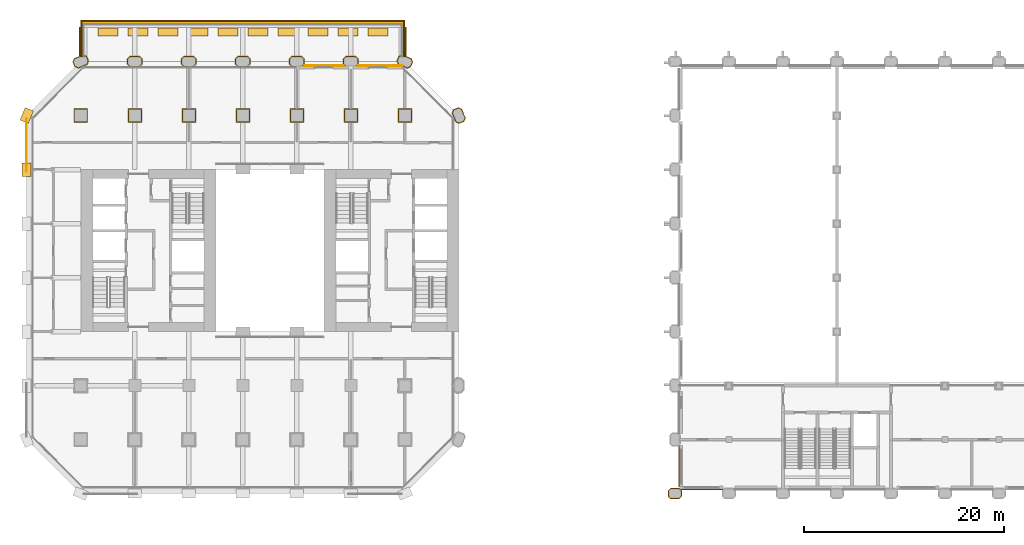
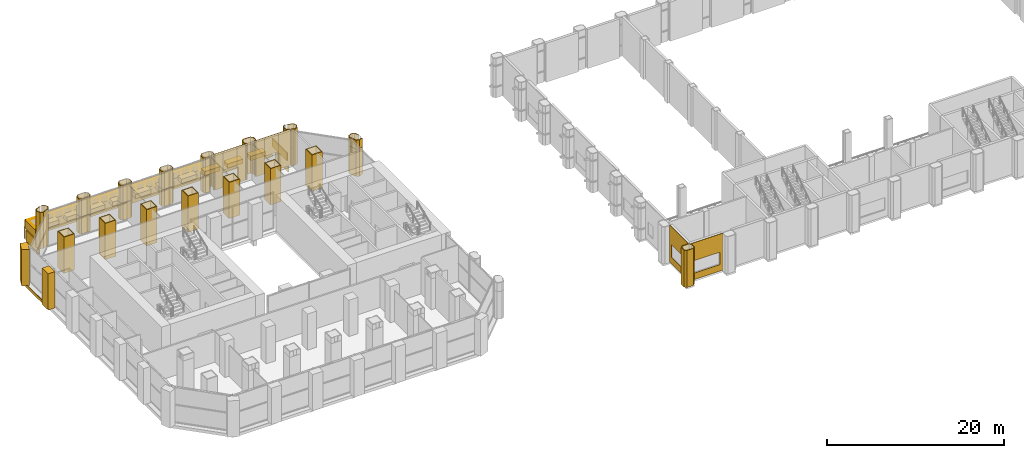
# One storey, part 22 of 27: 48 coverings, 1 railing.
"""IFC4 building model written with IfcOpenShell, lengths in metres."""

from ifc_helpers import new_model, si_unit, direction, frame, frame_2d, origin, origin_2d, place, context, subcontext, project, spatial, polyline, rectangle, circle, outline, extrude, material, layer, layer_set, type_object, element, save


model = new_model("IFC4")

# Units and contexts
model_context = context("Model", 3, precision=1e-05, world=origin(), true_north=direction((0.0, 1.0)))
body_context = subcontext(model_context, "Body", "Model", "MODEL_VIEW")
ifc_project = project(units=[si_unit("LENGTHUNIT", "METRE"), si_unit("AREAUNIT", "SQUARE_METRE"), si_unit("VOLUMEUNIT", "CUBIC_METRE"), si_unit("PLANEANGLEUNIT", "RADIAN"), si_unit("MASSUNIT", "GRAM", prefix="KILO")], contexts=[model_context])

# Site, building, storey
site_placement = place(None, origin())
site = spatial("IfcSite", under=ifc_project, at=site_placement, CompositionType="ELEMENT")
building_placement = place(site_placement, origin())
building = spatial("IfcBuilding", under=site, at=building_placement, Name="Tabaq Tower and Sports Hall", CompositionType="ELEMENT")
storey_placement = place(building_placement, frame((0.0, 0.0, 14.39990234375)))
storey = spatial("IfcBuildingStorey", under=building, at=storey_placement, Name="L02", CompositionType="ELEMENT", Elevation=14.39990234375)

# Coverings
ifc_material_1 = material(Name="Precast concrete C60/75", Category="concrete")
ifc_layer_1 = layer(ifc_material_1, 0.10009765625)
ifc_layer_set_1 = layer_set([ifc_layer_1], Name="Column cladding 100")
covering_type_1 = type_object("IfcCoveringType", Name="Column cladding 100", PredefinedType="CLADDING", material=ifc_layer_set_1)
covering_1_placement = place(storey_placement, origin())
element("IfcCovering", 1, at=covering_1_placement, inside=storey, type_object=covering_type_1, Name="Column cladding L02 HC-13A", PredefinedType="CLADDING", context=body_context, shape_type="SweptSolid", body=[
    extrude(outline(polyline([(64.100341796875, -0.291259765625), (64.100341796875, 0.291259765625), (64.358642578125, 0.5498046875), (65.2412109375, 0.5498046875), (65.499755859375, 0.291259765625), (65.499755859375, -0.291259765625), (65.2412109375, -0.5498046875), (64.358642578125, -0.5498046875), (64.100341796875, -0.291259765625)]), holes=[polyline([(65.2001953125, -0.4501953125), (65.400390625, -0.250244140625), (65.400390625, 0.250244140625), (65.2001953125, 0.4501953125), (64.39990234375, 0.4501953125), (64.19970703125, 0.250244140625), (64.19970703125, -0.250244140625), (64.39990234375, -0.4501953125), (65.2001953125, -0.4501953125)])]), origin(), (0.0, 0.0, 1.0), 5.10009765625),
])
covering_2_placement = place(storey_placement, origin())
element("IfcCovering", 2, at=covering_2_placement, inside=storey, type_object=covering_type_1, Name="Column cladding L02 CC-2H-P", PredefinedType="CLADDING", context=body_context, shape_type="SweptSolid", body=[
    extrude(outline(polyline([(4.7001953125, 38.499755859375), (6.099609375, 38.499755859375), (6.099609375, 37.100341796875), (4.7001953125, 37.100341796875), (4.7001953125, 38.499755859375)]), holes=[polyline([(6.000244140625, 37.19970703125), (6.000244140625, 38.400390625), (4.7998046875, 38.400390625), (4.7998046875, 37.19970703125), (6.000244140625, 37.19970703125)])]), origin(), (0.0, 0.0, 1.0), 5.0),
])
covering_3_placement = place(storey_placement, origin())
element("IfcCovering", 3, at=covering_3_placement, inside=storey, type_object=covering_type_1, Name="Column cladding L02 PC-2I-P", PredefinedType="CLADDING", context=body_context, shape_type="SweptSolid", body=[
    extrude(outline(polyline([(4.582275390625, 43.149658203125), (4.73583984375, 43.519775390625), (5.399658203125, 43.794921875), (5.399658203125, 43.69970703125), (5.4296875, 43.69970703125), (4.811767578125, 43.44384765625), (4.68994140625, 43.149658203125), (4.8623046875, 42.733642578125), (5.156494140625, 42.61181640625), (5.98828125, 42.956298828125), (6.110107421875, 43.25048828125), (5.937744140625, 43.66650390625), (5.710205078125, 43.7607421875), (5.710205078125, 43.8681640625), (6.013916015625, 43.742431640625), (6.217529296875, 43.25048828125), (6.064208984375, 42.880126953125), (5.60595703125, 42.690185546875), (5.586181640625, 42.690185546875), (5.586181640625, 42.68212890625), (5.156494140625, 42.504150390625), (4.7861328125, 42.657470703125), (4.582275390625, 43.149658203125)])), origin(), (0.0, 0.0, 1.0), 5.0),
])
covering_4_placement = place(storey_placement, origin())
element("IfcCovering", 4, at=covering_4_placement, inside=storey, type_object=covering_type_1, Name="Column cladding L02 CC-3H-P", PredefinedType="CLADDING", context=body_context, shape_type="SweptSolid", body=[
    extrude(outline(polyline([(10.100341796875, 38.499755859375), (11.499755859375, 38.499755859375), (11.499755859375, 37.100341796875), (10.100341796875, 37.100341796875), (10.100341796875, 38.499755859375)]), holes=[polyline([(11.400390625, 37.19970703125), (11.400390625, 38.400390625), (10.19970703125, 38.400390625), (10.19970703125, 37.19970703125), (11.400390625, 37.19970703125)])]), origin(), (0.0, 0.0, 1.0), 5.0),
])
for number, where, name in (
    (5, (0.0, 0.0, 0.1025390625), "Column cladding L02 PC-3I-P"),
    (6, (0.0, 0.0, 2.53271484375), "Column cladding L02 PC-3I-P 2"),
):
    element("IfcCovering", number, at=place(storey_placement, frame(where)), inside=storey, type_object=covering_type_1, Name=name, PredefinedType="CLADDING", context=body_context, shape_type="SweptSolid", body=[
        extrude(outline(polyline([(10.025390625, 43.46630859375), (10.30859375, 43.749755859375), (11.291259765625, 43.749755859375), (11.57470703125, 43.46630859375), (11.57470703125, 42.93359375), (11.331298828125, 42.690185546875), (10.268798828125, 42.690185546875), (10.025390625, 42.93359375), (10.025390625, 43.46630859375)]), holes=[polyline([(11.475341796875, 42.974853515625), (11.475341796875, 43.425048828125), (11.250244140625, 43.650390625), (10.349853515625, 43.650390625), (10.124755859375, 43.425048828125), (10.124755859375, 42.974853515625), (10.349853515625, 42.749755859375), (11.250244140625, 42.749755859375), (11.475341796875, 42.974853515625)])]), origin(), (0.0, 0.0, 1.0), 2.364990234375),
    ])
covering_5_placement = place(storey_placement, origin())
element("IfcCovering", 7, at=covering_5_placement, inside=storey, type_object=covering_type_1, Name="Column cladding L02 CC-4H-P", PredefinedType="CLADDING", context=body_context, shape_type="SweptSolid", body=[
    extrude(outline(polyline([(15.500244140625, 38.499755859375), (16.899658203125, 38.499755859375), (16.899658203125, 37.100341796875), (15.500244140625, 37.100341796875), (15.500244140625, 38.499755859375)]), holes=[polyline([(16.80029296875, 37.19970703125), (16.80029296875, 38.400390625), (15.599609375, 38.400390625), (15.599609375, 37.19970703125), (16.80029296875, 37.19970703125)])]), origin(), (0.0, 0.0, 1.0), 5.0),
])
for number, where, name in (
    (8, (0.0, 0.0, 0.1025390625), "Column cladding L02 PC-4I-P"),
    (9, (0.0, 0.0, 2.53271484375), "Column cladding L02 PC-4I-P 2"),
):
    element("IfcCovering", number, at=place(storey_placement, frame(where)), inside=storey, type_object=covering_type_1, Name=name, PredefinedType="CLADDING", context=body_context, shape_type="SweptSolid", body=[
        extrude(outline(polyline([(15.42529296875, 43.46630859375), (15.708740234375, 43.749755859375), (16.69140625, 43.749755859375), (16.974609375, 43.46630859375), (16.974609375, 42.93359375), (16.731201171875, 42.690185546875), (15.668701171875, 42.690185546875), (15.42529296875, 42.93359375), (15.42529296875, 43.46630859375)]), holes=[polyline([(16.875244140625, 42.974853515625), (16.875244140625, 43.425048828125), (16.650146484375, 43.650390625), (15.749755859375, 43.650390625), (15.524658203125, 43.425048828125), (15.524658203125, 42.974853515625), (15.749755859375, 42.749755859375), (16.650146484375, 42.749755859375), (16.875244140625, 42.974853515625)])]), origin(), (0.0, 0.0, 1.0), 2.364990234375),
    ])
covering_6_placement = place(storey_placement, origin())
element("IfcCovering", 10, at=covering_6_placement, inside=storey, type_object=covering_type_1, Name="Column cladding L02 CC-5H-P", PredefinedType="CLADDING", context=body_context, shape_type="SweptSolid", body=[
    extrude(outline(polyline([(20.900390625, 38.499755859375), (22.2998046875, 38.499755859375), (22.2998046875, 37.100341796875), (20.900390625, 37.100341796875), (20.900390625, 38.499755859375)]), holes=[polyline([(22.2001953125, 37.19970703125), (22.2001953125, 38.400390625), (20.999755859375, 38.400390625), (20.999755859375, 37.19970703125), (22.2001953125, 37.19970703125)])]), origin(), (0.0, 0.0, 1.0), 5.0),
])
for number, where, name in (
    (11, (0.0, 0.0, 0.1025390625), "Column cladding L02 PC-5I-P"),
    (12, (0.0, 0.0, 2.53271484375), "Column cladding L02 PC-5I-P 2"),
):
    element("IfcCovering", number, at=place(storey_placement, frame(where)), inside=storey, type_object=covering_type_1, Name=name, PredefinedType="CLADDING", context=body_context, shape_type="SweptSolid", body=[
        extrude(outline(polyline([(20.8251953125, 43.46630859375), (21.108642578125, 43.749755859375), (22.09130859375, 43.749755859375), (22.374755859375, 43.46630859375), (22.374755859375, 42.93359375), (22.13134765625, 42.690185546875), (21.068603515625, 42.690185546875), (20.8251953125, 42.93359375), (20.8251953125, 43.46630859375)]), holes=[polyline([(22.275390625, 42.974853515625), (22.275390625, 43.425048828125), (22.050048828125, 43.650390625), (21.14990234375, 43.650390625), (20.9248046875, 43.425048828125), (20.9248046875, 42.974853515625), (21.14990234375, 42.749755859375), (22.050048828125, 42.749755859375), (22.275390625, 42.974853515625)])]), origin(), (0.0, 0.0, 1.0), 2.364990234375),
    ])
covering_7_placement = place(storey_placement, origin())
element("IfcCovering", 13, at=covering_7_placement, inside=storey, type_object=covering_type_1, Name="Column cladding L02 CC-6H-P", PredefinedType="CLADDING", context=body_context, shape_type="SweptSolid", body=[
    extrude(outline(polyline([(26.30029296875, 38.499755859375), (27.69970703125, 38.499755859375), (27.69970703125, 37.100341796875), (26.30029296875, 37.100341796875), (26.30029296875, 38.499755859375)]), holes=[polyline([(27.600341796875, 37.19970703125), (27.600341796875, 38.400390625), (26.399658203125, 38.400390625), (26.399658203125, 37.19970703125), (27.600341796875, 37.19970703125)])]), origin(), (0.0, 0.0, 1.0), 5.0),
])
for number, where, name in (
    (14, (0.0, 0.0, 0.1025390625), "Column cladding L02 PC-6I-P"),
    (15, (0.0, 0.0, 2.53271484375), "Column cladding L02 PC-6I-P 2"),
):
    element("IfcCovering", number, at=place(storey_placement, frame(where)), inside=storey, type_object=covering_type_1, Name=name, PredefinedType="CLADDING", context=body_context, shape_type="SweptSolid", body=[
        extrude(outline(polyline([(26.225341796875, 43.46630859375), (26.5087890625, 43.749755859375), (27.4912109375, 43.749755859375), (27.774658203125, 43.46630859375), (27.774658203125, 42.93359375), (27.59130859375, 42.750244140625), (27.45068359375, 42.750244140625), (27.67529296875, 42.974853515625), (27.67529296875, 43.425048828125), (27.4501953125, 43.650390625), (26.5498046875, 43.650390625), (26.32470703125, 43.425048828125), (26.32470703125, 42.974853515625), (26.5498046875, 42.749755859375), (26.999755859375, 42.749755859375), (26.999755859375, 42.690185546875), (26.46875, 42.690185546875), (26.225341796875, 42.93359375), (26.225341796875, 43.46630859375)])), origin(), (0.0, 0.0, 1.0), 2.364990234375),
    ])
covering_8_placement = place(storey_placement, origin())
element("IfcCovering", 16, at=covering_8_placement, inside=storey, type_object=covering_type_1, Name="Column cladding L02 CC-7H-P", PredefinedType="CLADDING", context=body_context, shape_type="SweptSolid", body=[
    extrude(outline(polyline([(31.7001953125, 38.499755859375), (33.099609375, 38.499755859375), (33.099609375, 37.100341796875), (31.7001953125, 37.100341796875), (31.7001953125, 38.499755859375)]), holes=[polyline([(33.000244140625, 37.19970703125), (33.000244140625, 38.400390625), (31.7998046875, 38.400390625), (31.7998046875, 37.19970703125), (33.000244140625, 37.19970703125)])]), origin(), (0.0, 0.0, 1.0), 5.0),
])
covering_9_placement = place(storey_placement, origin())
element("IfcCovering", 17, at=covering_9_placement, inside=storey, type_object=covering_type_1, Name="Column cladding L02 PC-7I-P", PredefinedType="CLADDING", context=body_context, shape_type="SweptSolid", body=[
    extrude(outline(polyline([(31.625244140625, 43.46630859375), (31.90869140625, 43.749755859375), (32.891357421875, 43.749755859375), (33.1748046875, 43.46630859375), (33.1748046875, 42.93359375), (32.9912109375, 42.750244140625), (32.850830078125, 42.750244140625), (33.0751953125, 42.974853515625), (33.0751953125, 43.425048828125), (32.85009765625, 43.650390625), (31.949951171875, 43.650390625), (31.724609375, 43.425048828125), (31.724609375, 42.974853515625), (31.94921875, 42.750244140625), (31.80859375, 42.750244140625), (31.625244140625, 42.93359375), (31.625244140625, 43.46630859375)])), origin(), (0.0, 0.0, 1.0), 5.0),
])
covering_10_placement = place(storey_placement, origin())
element("IfcCovering", 18, at=covering_10_placement, inside=storey, type_object=covering_type_1, Name="Column cladding L02 CC-8H-P", PredefinedType="CLADDING", context=body_context, shape_type="SweptSolid", body=[
    extrude(outline(polyline([(37.100341796875, 38.499755859375), (38.499755859375, 38.499755859375), (38.499755859375, 37.100341796875), (37.100341796875, 37.100341796875), (37.100341796875, 38.499755859375)]), holes=[polyline([(38.400390625, 37.19970703125), (38.400390625, 38.400390625), (37.19970703125, 38.400390625), (37.19970703125, 37.19970703125), (38.400390625, 37.19970703125)])]), origin(), (0.0, 0.0, 1.0), 5.0),
])
covering_11_placement = place(storey_placement, origin())
element("IfcCovering", 19, at=covering_11_placement, inside=storey, type_object=covering_type_1, Name="Column cladding L02 PC-8I-P", PredefinedType="CLADDING", context=body_context, shape_type="SweptSolid", body=[
    extrude(outline(polyline([(38.413818359375, 42.657470703125), (38.04345703125, 42.504150390625), (37.614013671875, 42.68212890625), (37.614013671875, 42.750244140625), (37.55712890625, 42.750244140625), (37.55712890625, 42.810302734375), (37.304443359375, 42.810302734375), (37.1357421875, 42.880126953125), (36.982421875, 43.25048828125), (37.186279296875, 43.742431640625), (37.48974609375, 43.8681640625), (37.48974609375, 43.7607421875), (37.26220703125, 43.66650390625), (37.08984375, 43.25048828125), (37.2119140625, 42.956298828125), (38.04345703125, 42.61181640625), (38.337646484375, 42.733642578125), (38.510009765625, 43.149658203125), (38.38818359375, 43.44384765625), (37.770263671875, 43.69970703125), (37.80029296875, 43.69970703125), (37.80029296875, 43.794921875), (38.46435546875, 43.519775390625), (38.61767578125, 43.149658203125), (38.413818359375, 42.657470703125)])), origin(), (0.0, 0.0, 1.0), 5.0),
])
covering_12_placement = place(storey_placement, origin())
element("IfcCovering", 20, at=covering_12_placement, inside=storey, type_object=covering_type_1, Name="Column cladding L02 PC-9H-P", PredefinedType="CLADDING", context=body_context, shape_type="SweptSolid", body=[
    extrude(outline(polyline([(43.25048828125, 36.982421875), (42.880126953125, 37.1357421875), (42.690185546875, 37.593994140625), (42.690185546875, 37.614013671875), (42.68212890625, 37.614013671875), (42.504150390625, 38.04345703125), (42.657470703125, 38.413818359375), (43.149658203125, 38.61767578125), (43.519775390625, 38.46435546875), (43.732177734375, 37.95166015625), (43.69677734375, 37.9501953125), (43.696533203125, 37.9501953125), (43.696533203125, 37.7998046875), (43.795166015625, 37.7998046875), (43.895751953125, 37.556396484375), (43.742431640625, 37.186279296875), (43.25048828125, 36.982421875)]), holes=[polyline([(43.149658203125, 38.510009765625), (42.733642578125, 38.337646484375), (42.61181640625, 38.04345703125), (42.956298828125, 37.2119140625), (43.25048828125, 37.08984375), (43.66650390625, 37.26220703125), (43.788330078125, 37.556396484375), (43.44384765625, 38.38818359375), (43.149658203125, 38.510009765625)])]), origin(), (0.0, 0.0, 1.0), 3.800048828125),
])
covering_13_placement = place(storey_placement, frame((0.0, 0.0, 3.800048828125)))
element("IfcCovering", 21, at=covering_13_placement, inside=storey, type_object=covering_type_1, Name="Column cladding L02 PC-9H-P head", PredefinedType="CLADDING", context=body_context, shape_type="SweptSolid", body=[
    extrude(outline(polyline([(42.880126953125, 37.1357421875), (42.690185546875, 37.593994140625), (42.690185546875, 37.614013671875), (42.68212890625, 37.614013671875), (42.504150390625, 38.04345703125), (42.657470703125, 38.413818359375), (43.149658203125, 38.61767578125), (43.519775390625, 38.46435546875), (43.732177734375, 37.95166015625), (43.69677734375, 37.9501953125), (43.696533203125, 37.9501953125), (43.696533203125, 37.80029296875), (43.687255859375, 37.80029296875), (43.44384765625, 38.38818359375), (43.149658203125, 38.510009765625), (42.733642578125, 38.337646484375), (42.61181640625, 38.04345703125), (42.956298828125, 37.2119140625), (43.25048828125, 37.08984375), (43.649658203125, 37.25537109375), (43.649658203125, 37.19970703125), (43.748046875, 37.19970703125), (43.742431640625, 37.186279296875), (43.25048828125, 36.982421875), (42.880126953125, 37.1357421875)])), origin(), (0.0, 0.0, 1.0), 1.199951171875),
])
ifc_material_2 = material(Name="Precast concrete C60/75", Category="concrete")
ifc_layer_2 = layer(ifc_material_2, 0.06005859375)
ifc_layer_set_2 = layer_set([ifc_layer_2], Name="Edge beam cladding 60")
covering_type_2 = type_object("IfcCoveringType", Name="Edge beam cladding 60", PredefinedType="CLADDING", material=ifc_layer_set_2)
covering_14_placement = place(storey_placement, frame((-0.030029296875, 37.50146484375, -0.39990234375), z_axis=(0.0, 0.0, 1.0), x_axis=(0.0, -1.0, 0.0)))
element("IfcCovering", 22, at=covering_14_placement, inside=storey, type_object=covering_type_2, Name="Edge beam cladding L02 4", PredefinedType="CLADDING", context=body_context, shape_type="SweptSolid", body=[
    extrude(rectangle(XDim=5.341552734375, YDim=0.06005859375, at=frame_2d((2.6708984375, 0.0))), origin(), (0.0, 0.0, 1.0), 0.39990234375),
])

# Railing
ifc_material_3 = material(Name="Stainless steel S316 and laminated glass", Category="steel")
railing_type = type_object("IfcRailingType", Name="Guard 1100 steel and glass", PredefinedType="GUARDRAIL", material=ifc_material_3)
railing_placement = place(storey_placement, frame((37.550048828125, 43.199951171875, 0.0)))
element("IfcRailing", 23, at=railing_placement, inside=storey, type_object=railing_type, Name="Tray guard L02", PredefinedType="GUARDRAIL", context=body_context, shape_type="SweptSolid", body=[
    extrude(circle(Radius=0.02490234375, at=origin_2d()), frame((0.0, 0.0, 1.0751953125), z_axis=(0.0, 1.0, 0.0), x_axis=(-1.0, 0.0, 0.0)), (0.0, 0.0, 1.0), 3.75),
    extrude(circle(Radius=0.02490234375, at=origin_2d()), frame((0.0, 3.75, 1.0751953125), z_axis=(-1.0, 0.0, 0.0), x_axis=(0.0, -1.0, 0.0)), (0.0, 0.0, 1.0), 31.900146484375),
    extrude(circle(Radius=0.02490234375, at=origin_2d()), frame((-31.900146484375, 3.75, 1.0751953125), z_axis=(0.0, -1.0, 0.0), x_axis=(1.0, 0.0, 0.0)), (0.0, 0.0, 1.0), 3.75),
    extrude(circle(Radius=0.02001953125, at=origin_2d()), origin(), (0.0, 0.0, 1.0), 1.050048828125),
    extrude(circle(Radius=0.02001953125, at=origin_2d()), frame((0.0, 0.9375, 0.0)), (0.0, 0.0, 1.0), 1.050048828125),
    extrude(circle(Radius=0.02001953125, at=origin_2d()), frame((0.0, 1.875, 0.0)), (0.0, 0.0, 1.0), 1.050048828125),
    extrude(circle(Radius=0.02001953125, at=origin_2d()), frame((0.0, 2.8125, 0.0)), (0.0, 0.0, 1.0), 1.050048828125),
    extrude(circle(Radius=0.02001953125, at=origin_2d()), frame((0.0, 3.75, 0.0)), (0.0, 0.0, 1.0), 1.050048828125),
    extrude(circle(Radius=0.02001953125, at=origin_2d()), frame((-1.181396484375, 3.75, 0.0)), (0.0, 0.0, 1.0), 1.050048828125),
    extrude(circle(Radius=0.02001953125, at=origin_2d()), frame((-2.363037109375, 3.75, 0.0)), (0.0, 0.0, 1.0), 1.050048828125),
    extrude(circle(Radius=0.02001953125, at=origin_2d()), frame((-3.54443359375, 3.75, 0.0)), (0.0, 0.0, 1.0), 1.050048828125),
    extrude(circle(Radius=0.02001953125, at=origin_2d()), frame((-4.725830078125, 3.75, 0.0)), (0.0, 0.0, 1.0), 1.050048828125),
    extrude(circle(Radius=0.02001953125, at=origin_2d()), frame((-5.907470703125, 3.75, 0.0)), (0.0, 0.0, 1.0), 1.050048828125),
    extrude(circle(Radius=0.02001953125, at=origin_2d()), frame((-7.0888671875, 3.75, 0.0)), (0.0, 0.0, 1.0), 1.050048828125),
    extrude(circle(Radius=0.02001953125, at=origin_2d()), frame((-8.2705078125, 3.75, 0.0)), (0.0, 0.0, 1.0), 1.050048828125),
    extrude(circle(Radius=0.02001953125, at=origin_2d()), frame((-9.451904296875, 3.75, 0.0)), (0.0, 0.0, 1.0), 1.050048828125),
    extrude(circle(Radius=0.02001953125, at=origin_2d()), frame((-10.63330078125, 3.75, 0.0)), (0.0, 0.0, 1.0), 1.050048828125),
    extrude(circle(Radius=0.02001953125, at=origin_2d()), frame((-11.81494140625, 3.75, 0.0)), (0.0, 0.0, 1.0), 1.050048828125),
    extrude(circle(Radius=0.02001953125, at=origin_2d()), frame((-12.996337890625, 3.75, 0.0)), (0.0, 0.0, 1.0), 1.050048828125),
    extrude(circle(Radius=0.02001953125, at=origin_2d()), frame((-14.177734375, 3.75, 0.0)), (0.0, 0.0, 1.0), 1.050048828125),
    extrude(circle(Radius=0.02001953125, at=origin_2d()), frame((-15.359375, 3.75, 0.0)), (0.0, 0.0, 1.0), 1.050048828125),
    extrude(circle(Radius=0.02001953125, at=origin_2d()), frame((-16.540771484375, 3.75, 0.0)), (0.0, 0.0, 1.0), 1.050048828125),
    extrude(circle(Radius=0.02001953125, at=origin_2d()), frame((-17.722412109375, 3.75, 0.0)), (0.0, 0.0, 1.0), 1.050048828125),
    extrude(circle(Radius=0.02001953125, at=origin_2d()), frame((-18.90380859375, 3.75, 0.0)), (0.0, 0.0, 1.0), 1.050048828125),
    extrude(circle(Radius=0.02001953125, at=origin_2d()), frame((-20.085205078125, 3.75, 0.0)), (0.0, 0.0, 1.0), 1.050048828125),
    extrude(circle(Radius=0.02001953125, at=origin_2d()), frame((-21.266845703125, 3.75, 0.0)), (0.0, 0.0, 1.0), 1.050048828125),
    extrude(circle(Radius=0.02001953125, at=origin_2d()), frame((-22.4482421875, 3.75, 0.0)), (0.0, 0.0, 1.0), 1.050048828125),
    extrude(circle(Radius=0.02001953125, at=origin_2d()), frame((-23.629638671875, 3.75, 0.0)), (0.0, 0.0, 1.0), 1.050048828125),
    extrude(circle(Radius=0.02001953125, at=origin_2d()), frame((-24.811279296875, 3.75, 0.0)), (0.0, 0.0, 1.0), 1.050048828125),
    extrude(circle(Radius=0.02001953125, at=origin_2d()), frame((-25.99267578125, 3.75, 0.0)), (0.0, 0.0, 1.0), 1.050048828125),
    extrude(circle(Radius=0.02001953125, at=origin_2d()), frame((-27.17431640625, 3.75, 0.0)), (0.0, 0.0, 1.0), 1.050048828125),
    extrude(circle(Radius=0.02001953125, at=origin_2d()), frame((-28.355712890625, 3.75, 0.0)), (0.0, 0.0, 1.0), 1.050048828125),
    extrude(circle(Radius=0.02001953125, at=origin_2d()), frame((-29.537109375, 3.75, 0.0)), (0.0, 0.0, 1.0), 1.050048828125),
    extrude(circle(Radius=0.02001953125, at=origin_2d()), frame((-30.71875, 3.75, 0.0)), (0.0, 0.0, 1.0), 1.050048828125),
    extrude(circle(Radius=0.02001953125, at=origin_2d()), frame((-31.900146484375, 3.75, 0.0)), (0.0, 0.0, 1.0), 1.050048828125),
    extrude(circle(Radius=0.02001953125, at=origin_2d()), frame((-31.900146484375, 2.8125, 0.0)), (0.0, 0.0, 1.0), 1.050048828125),
    extrude(circle(Radius=0.02001953125, at=origin_2d()), frame((-31.900146484375, 1.875, 0.0)), (0.0, 0.0, 1.0), 1.050048828125),
    extrude(circle(Radius=0.02001953125, at=origin_2d()), frame((-31.900146484375, 0.9375, 0.0)), (0.0, 0.0, 1.0), 1.050048828125),
    extrude(circle(Radius=0.02001953125, at=origin_2d()), frame((-31.900146484375, 0.0, 0.0)), (0.0, 0.0, 1.0), 1.050048828125),
])

# Coverings
ifc_material_4 = material(Name="White precast concrete C60/75", Category="concrete")
covering_type_3 = type_object("IfcCoveringType", Name="Pier cladding hung 1350x900", PredefinedType="CLADDING", material=ifc_material_4)
covering_15_placement = place(storey_placement, frame((0.0, 33.074951171875, 0.0), z_axis=(0.0, 0.0, 1.0), x_axis=(0.0, -1.0, 0.0)))
element("IfcCovering", 24, at=covering_15_placement, inside=storey, type_object=covering_type_3, Name="Hung pier cladding 0/6", PredefinedType="CLADDING", context=body_context, shape_type="SweptSolid", body=[
    extrude(rectangle(XDim=1.349853515625, YDim=0.89990234375, at=frame_2d((0.6748046875, 0.0))), origin(), (0.0, 0.0, 1.0), 5.0),
])
covering_16_placement = place(storey_placement, frame((0.25830078125, 38.423583984375, 0.0), z_axis=(0.0, 0.0, 1.0), x_axis=(-0.382649923473, -0.923893411637, 0.0)))
element("IfcCovering", 25, at=covering_16_placement, inside=storey, type_object=covering_type_3, Name="Hung pier cladding 0/7", PredefinedType="CLADDING", context=body_context, shape_type="SweptSolid", body=[
    extrude(rectangle(XDim=1.35009765625, YDim=0.89990234375, at=frame_2d((0.675048828125, 0.0))), origin(), (0.0, 0.0, 1.0), 5.0),
])
ifc_material_5 = material(Name="Planting soil and drainage layer")
covering_type_4 = type_object("IfcCoveringType", Name="Planter 2000x800x600", PredefinedType="USERDEFINED", material=ifc_material_5)
for number, where, z_axis, x_axis, name in (
    (26, (35.10009765625, 46.169921875, 0.0), (0.0, 0.0, 1.0), (-1.0, 0.0, 0.0), "Planter L02"),
    (27, (32.10009765625, 46.169921875, 0.0), (0.0, 0.0, 1.0), (-1.0, 0.0, 0.0), "Planter L02"),
    (28, (29.10009765625, 46.169921875, 0.0), (0.0, 0.0, 1.0), (-1.0, 0.0, 0.0), "Planter L02"),
    (29, (26.10009765625, 46.169921875, 0.0), (0.0, 0.0, 1.0), (-1.0, 0.0, 0.0), "Planter L02"),
    (30, (23.10009765625, 46.169921875, 0.0), (0.0, 0.0, 1.0), (-1.0, 0.0, 0.0), "Planter L02"),
    (31, (20.10009765625, 46.169921875, 0.0), (0.0, 0.0, 1.0), (-1.0, 0.0, 0.0), "Planter L02"),
    (32, (17.10009765625, 46.169921875, 0.0), (0.0, 0.0, 1.0), (-1.0, 0.0, 0.0), "Planter L02"),
    (33, (14.10009765625, 46.169921875, 0.0), (0.0, 0.0, 1.0), (-1.0, 0.0, 0.0), "Planter L02"),
    (34, (11.10009765625, 46.169921875, 0.0), (0.0, 0.0, 1.0), (-1.0, 0.0, 0.0), "Planter L02"),
    (35, (8.10009765625, 46.169921875, 0.0), (0.0, 0.0, 1.0), (-1.0, 0.0, 0.0), "Planter L02"),
):
    element("IfcCovering", number, at=place(storey_placement, frame(where, z_axis=z_axis, x_axis=x_axis)), inside=storey, type_object=covering_type_4, Name=name, ObjectType="PLANTER", PredefinedType="USERDEFINED", context=body_context, shape_type="SweptSolid", body=[
        extrude(rectangle(XDim=2.0, YDim=0.800048828125, at=origin_2d()), origin(), (0.0, 0.0, 1.0), 0.60009765625),
    ])
ifc_material_6 = material(Name="Precast concrete C60/75", Category="concrete")
ifc_layer_3 = layer(ifc_material_6, 0.14990234375)
ifc_layer_set_3 = layer_set([ifc_layer_3], Name="Tray fascia 1200")
covering_type_5 = type_object("IfcCoveringType", Name="Tray fascia 1200", PredefinedType="CLADDING", material=ifc_layer_set_3)
for number, where, z_axis, x_axis, name in (
    (36, (37.875, 43.69677734375, -1.599853515625), (0.0, 0.0, 1.0), (0.0, 1.0, 0.0), "Tray fascia L02 EBT"),
    (37, (5.324951171875, 43.69677734375, -1.599853515625), (0.0, 0.0, 1.0), (0.0, 1.0, 0.0), "Tray fascia L02 EBT"),
):
    element("IfcCovering", number, at=place(storey_placement, frame(where, z_axis=z_axis, x_axis=x_axis)), inside=storey, type_object=covering_type_5, Name=name, PredefinedType="CLADDING", context=body_context, shape_type="SweptSolid", body=[
        extrude(rectangle(XDim=2.9033203125, YDim=0.14990234375, at=frame_2d((1.45166015625, 0.0))), origin(), (0.0, 0.0, 1.0), 1.599853515625),
    ])
covering_17_placement = place(storey_placement, frame((37.800048828125, 47.27490234375, -1.599853515625), z_axis=(0.0, 0.0, 1.0), x_axis=(-1.0, 0.0, 0.0)))
element("IfcCovering", 38, at=covering_17_placement, inside=storey, type_object=covering_type_5, Name="Tray fascia L02 EBT", PredefinedType="CLADDING", context=body_context, shape_type="SweptSolid", body=[
    extrude(rectangle(XDim=32.400146484375, YDim=0.14990234375, at=frame_2d((16.2001953125, 0.0))), origin(), (0.0, 0.0, 1.0), 1.599853515625),
])
ifc_material_7 = material(Name="Precast concrete C60/75", Category="concrete")
ifc_layer_4 = layer(ifc_material_7, 0.14990234375)
ifc_layer_set_4 = layer_set([ifc_layer_4], Name="Tray upstand cladding 1100")
covering_type_6 = type_object("IfcCoveringType", Name="Tray upstand cladding 1100", PredefinedType="CLADDING", material=ifc_layer_set_4)
covering_18_placement = place(storey_placement, frame((37.800048828125, 47.125, 0.0), z_axis=(0.0, 0.0, 1.0), x_axis=(-1.0, 0.0, 0.0)))
element("IfcCovering", 39, at=covering_18_placement, inside=storey, type_object=covering_type_6, Name="Tray upstand cladding L02", PredefinedType="CLADDING", context=body_context, shape_type="SweptSolid", body=[
    extrude(rectangle(XDim=32.400146484375, YDim=0.14990234375, at=frame_2d((16.2001953125, 0.0))), origin(), (0.0, 0.0, 1.0), 1.10009765625),
])
for number, where, z_axis, x_axis, name in (
    (40, (37.72509765625, 43.699951171875, 0.0), (0.0, 0.0, 1.0), (0.0, 1.0, 0.0), "Tray upstand cladding L02"),
    (41, (5.47509765625, 43.699951171875, 0.0), (0.0, 0.0, 1.0), (0.0, 1.0, 0.0), "Tray upstand cladding L02"),
):
    element("IfcCovering", number, at=place(storey_placement, frame(where, z_axis=z_axis, x_axis=x_axis)), inside=storey, type_object=covering_type_6, Name=name, PredefinedType="CLADDING", context=body_context, shape_type="SweptSolid", body=[
        extrude(rectangle(XDim=3.35009765625, YDim=0.14990234375, at=frame_2d((1.675048828125, 0.0))), origin(), (0.0, 0.0, 1.0), 1.10009765625),
    ])
ifc_material_8 = material(Name="Precast concrete C60/75", Category="concrete")
ifc_layer_5 = layer(ifc_material_8, 0.06005859375)
ifc_layer_set_5 = layer_set([ifc_layer_5], Name="White precast cladding panel 60 C60/75")
covering_type_7 = type_object("IfcCoveringType", Name="White precast cladding panel 60 C60/75", PredefinedType="CLADDING", material=ifc_layer_set_5)
covering_19_placement = place(storey_placement, frame((37.556884765625, 42.780029296875, 0.0), z_axis=(0.0, 0.0, 1.0), x_axis=(-1.0, 0.0, 0.0)))
element("IfcCovering", 42, at=covering_19_placement, inside=storey, type_object=covering_type_7, Name="White precast cladding panel L02 infill04-0-0", PredefinedType="CLADDING", context=body_context, shape_type="SweptSolid", body=[
    extrude(rectangle(XDim=1.546875, YDim=0.06005859375, at=frame_2d((0.7734375, 0.0))), origin(), (0.0, 0.0, 1.0), 5.0),
])
covering_20_placement = place(storey_placement, frame((36.010009765625, 42.780029296875, 2.41015625), z_axis=(0.0, 0.0, 1.0), x_axis=(-1.0, 0.0, 0.0)))
element("IfcCovering", 43, at=covering_20_placement, inside=storey, type_object=covering_type_7, Name="White precast cladding panel L02 infill04-0-0 2", PredefinedType="CLADDING", context=body_context, shape_type="SweptSolid", body=[
    extrude(rectangle(XDim=1.820068359375, YDim=0.06005859375, at=frame_2d((0.91015625, 0.0))), origin(), (0.0, 0.0, 1.0), 2.58984375),
])
for number, where, z_axis, x_axis, name in (
    (44, (34.18994140625, 42.780029296875, 0.0), (0.0, 0.0, 1.0), (-1.0, 0.0, 0.0), "White precast cladding panel L02 infill04-0-0 3"),
    (45, (31.715087890625, 42.780029296875, 0.0), (0.0, 0.0, 1.0), (-1.0, 0.0, 0.0), "White precast cladding panel L02 infill04-0-0 4"),
):
    element("IfcCovering", number, at=place(storey_placement, frame(where, z_axis=z_axis, x_axis=x_axis)), inside=storey, type_object=covering_type_7, Name=name, PredefinedType="CLADDING", context=body_context, shape_type="SweptSolid", body=[
        extrude(rectangle(XDim=1.10498046875, YDim=0.06005859375, at=frame_2d((0.552490234375, 0.0))), origin(), (0.0, 0.0, 1.0), 5.0),
    ])
covering_21_placement = place(storey_placement, frame((30.610107421875, 42.780029296875, 2.41015625), z_axis=(0.0, 0.0, 1.0), x_axis=(-1.0, 0.0, 0.0)))
element("IfcCovering", 46, at=covering_21_placement, inside=storey, type_object=covering_type_7, Name="White precast cladding panel L02 infill04-0-0 5", PredefinedType="CLADDING", context=body_context, shape_type="SweptSolid", body=[
    extrude(rectangle(XDim=1.820068359375, YDim=0.06005859375, at=frame_2d((0.91015625, 0.0))), origin(), (0.0, 0.0, 1.0), 2.58984375),
])
covering_22_placement = place(storey_placement, frame((28.7900390625, 42.780029296875, 0.0), z_axis=(0.0, 0.0, 1.0), x_axis=(-1.0, 0.0, 0.0)))
element("IfcCovering", 47, at=covering_22_placement, inside=storey, type_object=covering_type_7, Name="White precast cladding panel L02 infill04-0-0 6", PredefinedType="CLADDING", context=body_context, shape_type="SweptSolid", body=[
    extrude(rectangle(XDim=1.10498046875, YDim=0.06005859375, at=frame_2d((0.552490234375, 0.0))), origin(), (0.0, 0.0, 1.0), 5.0),
])
covering_23_placement = place(storey_placement, frame((65.39990234375, 0.419921875, 0.0), z_axis=(0.0, 0.0, 1.0), x_axis=(1.0, 0.0, 0.0)))
element("IfcCovering", 48, at=covering_23_placement, inside=storey, type_object=covering_type_7, Name="White precast cladding panel L02 L02", PredefinedType="CLADDING", context=body_context, shape_type="SweptSolid", body=[
    extrude(outline(polyline([(0.0, 0.0), (4.2001953125, 0.0), (4.2001953125, 5.10009765625), (0.0, 5.10009765625), (0.0, 0.0)]), holes=[polyline([(0.389892578125, 0.89013671875), (0.389892578125, 2.610107421875), (3.81005859375, 2.610107421875), (3.81005859375, 0.89013671875), (0.389892578125, 0.89013671875)])]), frame((0.0, 0.030029296875, 0.0), z_axis=(0.0, -1.0, 0.0), x_axis=(1.0, 0.0, 0.0)), (0.0, 0.0, 1.0), 0.06005859375),
])
covering_24_placement = place(storey_placement, frame((65.219970703125, 0.699951171875, 0.0), z_axis=(0.0, 0.0, 1.0), x_axis=(0.0, 1.0, 0.0)))
element("IfcCovering", 49, at=covering_24_placement, inside=storey, type_object=covering_type_7, Name="White precast cladding panel L02 L02", PredefinedType="CLADDING", context=body_context, shape_type="SweptSolid", body=[
    extrude(outline(polyline([(0.0, 0.0), (4.10009765625, 0.0), (4.10009765625, 5.10009765625), (0.0, 5.10009765625), (0.0, 0.0)]), holes=[polyline([(0.2900390625, 0.89013671875), (0.2900390625, 2.610107421875), (3.7099609375, 2.610107421875), (3.7099609375, 0.89013671875), (0.2900390625, 0.89013671875)])]), frame((0.0, 0.030029296875, 0.0), z_axis=(0.0, -1.0, 0.0), x_axis=(1.0, 0.0, 0.0)), (0.0, 0.0, 1.0), 0.06005859375),
])

save(model, "model.ifc")
